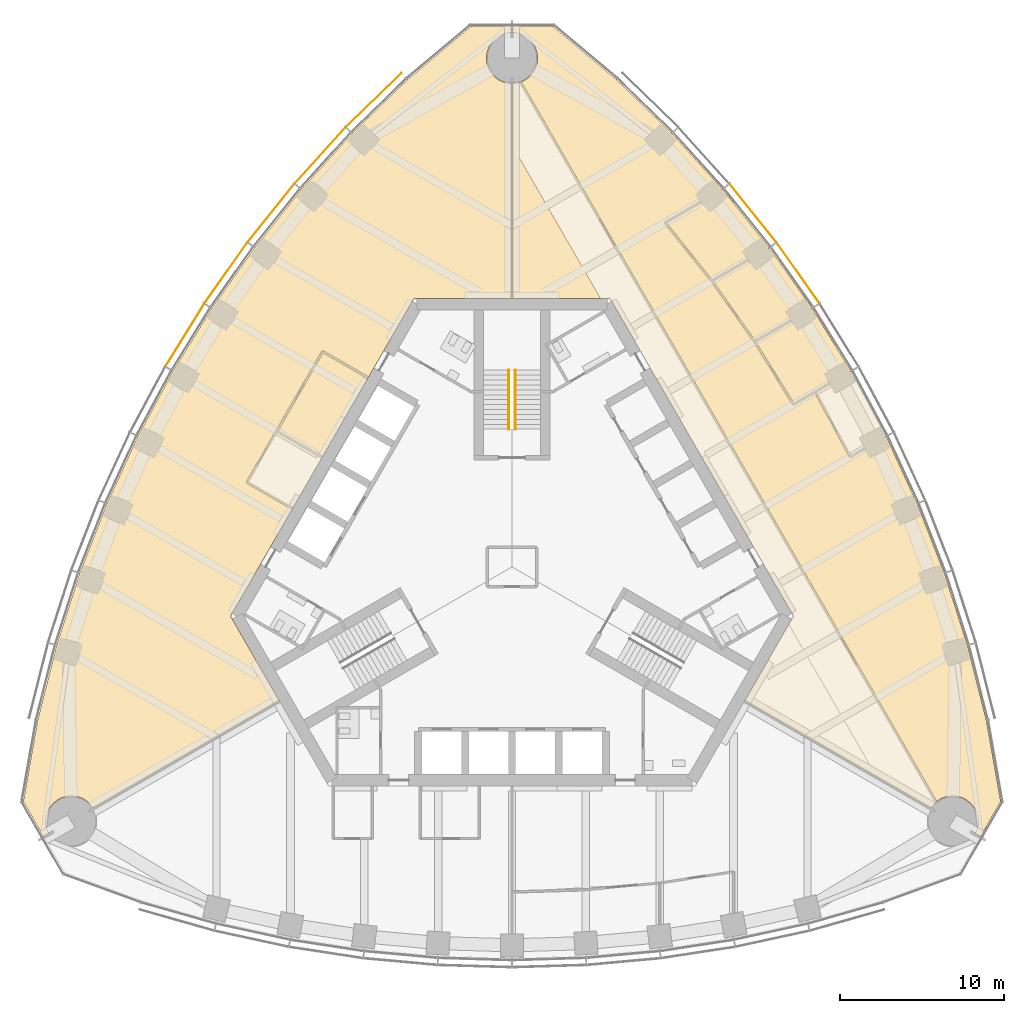
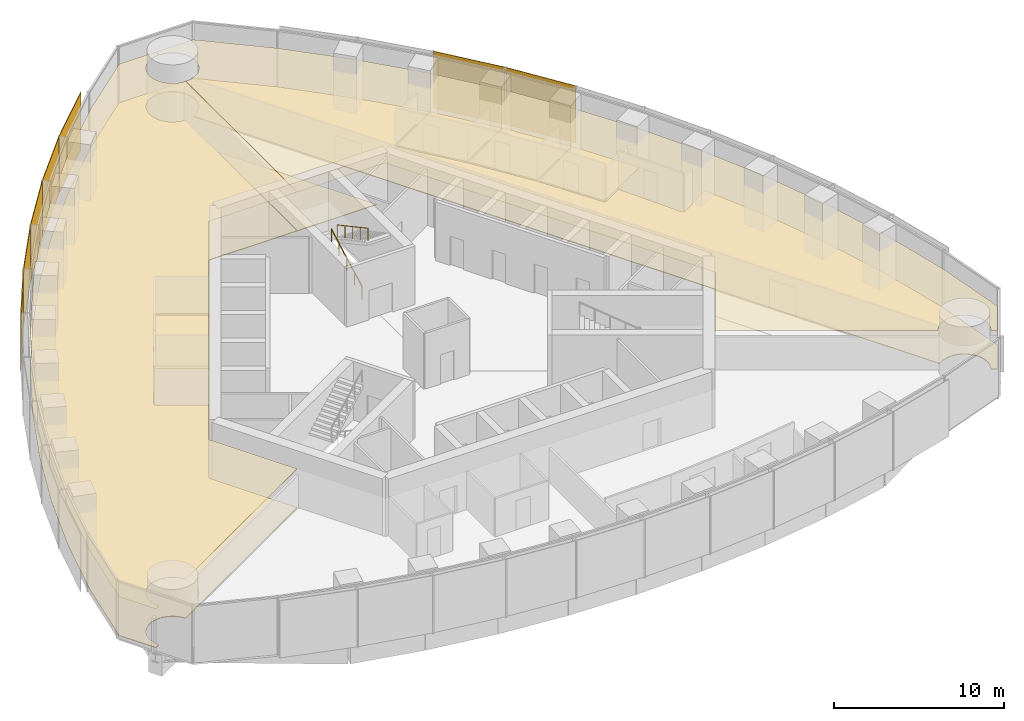
# One storey, part 12 of 15: 9 coverings, 7 shading devices, 2 railings.
"""IFC4 building model written with IfcOpenShell, lengths in metres."""

from ifc_helpers import new_model, si_unit, direction, frame, origin, origin_2d, place, context, subcontext, project, spatial, polyline, rectangle, circle, outline, extrude, material, layer, layer_set, type_object, element, save


model = new_model("IFC4")

# Units and contexts
model_context = context("Model", 3, precision=1e-05, world=origin(), true_north=direction((0.0, 1.0)))
body_context = subcontext(model_context, "Body", "Model", "MODEL_VIEW")
ifc_project = project(units=[si_unit("LENGTHUNIT", "METRE"), si_unit("AREAUNIT", "SQUARE_METRE"), si_unit("VOLUMEUNIT", "CUBIC_METRE"), si_unit("PLANEANGLEUNIT", "RADIAN"), si_unit("MASSUNIT", "GRAM", prefix="KILO")], contexts=[model_context])

# Site, building, storey
site_placement = place(None, origin())
site = spatial("IfcSite", under=ifc_project, at=site_placement, CompositionType="ELEMENT")
building_placement = place(site_placement, origin())
building = spatial("IfcBuilding", under=site, at=building_placement, Name="Trefoil Bronze Tower", CompositionType="ELEMENT")
storey_placement = place(building_placement, frame((0.0, 0.0, 276.300048828125)))
storey = spatial("IfcBuildingStorey", under=building, at=storey_placement, Name="L63", CompositionType="ELEMENT", Elevation=276.300048828125)

# Shading devices
ifc_material_1 = material(Name="Perforated bronze sheet", Category="bronze")
ifc_layer_1 = layer(ifc_material_1, 0.0400390625)
ifc_layer_set_1 = layer_set([ifc_layer_1], Name="Bronze solar screen panel")
shading_device_type = type_object("IfcShadingDeviceType", Name="Bronze solar screen panel", PredefinedType="SHUTTER", material=ifc_layer_set_1)
shading_device_1_placement = place(storey_placement, frame((17.4267578125, 17.912109375, 0.0498046875), z_axis=(0.0, 0.0, 1.0), x_axis=(-0.576560967783, 0.817054129437, 0.0)))
element("IfcShadingDevice", 1, at=shading_device_1_placement, inside=storey, type_object=shading_device_type, Name="Solar screen CW-A L63 F2 bay 7", PredefinedType="SHUTTER", context=body_context, shape_type="SweptSolid", body=[
    extrude(rectangle(XDim=4.48876953125, YDim=0.0400390625, at=origin_2d()), origin(), (0.0, 0.0, 1.0), 4.10009765625),
])
shading_device_2_placement = place(storey_placement, frame((14.680908203125, 21.560791015625, 0.0498046875), z_axis=(0.0, 0.0, 1.0), x_axis=(-0.625286758829, 0.780395072533, 0.0)))
element("IfcShadingDevice", 2, at=shading_device_2_placement, inside=storey, type_object=shading_device_type, Name="Solar screen CW-A L63 F2 bay 8", PredefinedType="SHUTTER", context=body_context, shape_type="SweptSolid", body=[
    extrude(rectangle(XDim=4.5224609375, YDim=0.0400390625, at=origin_2d()), origin(), (0.0, 0.0, 1.0), 4.10009765625),
])
shading_device_3_placement = place(storey_placement, frame((-8.42236328125, 28.443359375, 0.0498046875), z_axis=(0.0, 0.0, 1.0), x_axis=(-0.71721818561, -0.696848673839, 0.0)))
element("IfcShadingDevice", 3, at=shading_device_3_placement, inside=storey, type_object=shading_device_type, Name="Solar screen CW-A L63 F3 bay 1", PredefinedType="SHUTTER", context=body_context, shape_type="SweptSolid", body=[
    extrude(rectangle(XDim=4.697509765625, YDim=0.0400390625, at=origin_2d()), origin(), (0.0, 0.0, 1.0), 4.10009765625),
])
shading_device_4_placement = place(storey_placement, frame((-11.688720703125, 25.067138671875, 0.0498046875), z_axis=(0.0, 0.0, 1.0), x_axis=(-0.672115274615, -0.74044652584, 0.0)))
element("IfcShadingDevice", 4, at=shading_device_4_placement, inside=storey, type_object=shading_device_type, Name="Solar screen CW-A L63 F3 bay 2", PredefinedType="SHUTTER", context=body_context, shape_type="SweptSolid", body=[
    extrude(rectangle(XDim=4.574462890625, YDim=0.0400390625, at=origin_2d()), origin(), (0.0, 0.0, 1.0), 4.10009765625),
])
shading_device_5_placement = place(storey_placement, frame((-14.680908203125, 21.560791015625, 0.0498046875), z_axis=(0.0, 0.0, 1.0), x_axis=(-0.625286758829, -0.780395072533, 0.0)))
element("IfcShadingDevice", 5, at=shading_device_5_placement, inside=storey, type_object=shading_device_type, Name="Solar screen CW-A L63 F3 bay 3", PredefinedType="SHUTTER", context=body_context, shape_type="SweptSolid", body=[
    extrude(rectangle(XDim=4.5224609375, YDim=0.0400390625, at=origin_2d()), origin(), (0.0, 0.0, 1.0), 4.10009765625),
])
shading_device_6_placement = place(storey_placement, frame((-17.4267578125, 17.912109375, 0.0498046875), z_axis=(0.0, 0.0, 1.0), x_axis=(-0.576560967783, -0.817054129437, 0.0)))
element("IfcShadingDevice", 6, at=shading_device_6_placement, inside=storey, type_object=shading_device_type, Name="Solar screen CW-A L63 F3 bay 4", PredefinedType="SHUTTER", context=body_context, shape_type="SweptSolid", body=[
    extrude(rectangle(XDim=4.48876953125, YDim=0.0400390625, at=origin_2d()), origin(), (0.0, 0.0, 1.0), 4.10009765625),
])
shading_device_7_placement = place(storey_placement, frame((-19.931396484375, 14.124267578125, 0.0498046875), z_axis=(0.0, 0.0, 1.0), x_axis=(-0.525979532701, -0.850497225851, 0.0)))
element("IfcShadingDevice", 7, at=shading_device_7_placement, inside=storey, type_object=shading_device_type, Name="Solar screen CW-A L63 F3 bay 5", PredefinedType="SHUTTER", context=body_context, shape_type="SweptSolid", body=[
    extrude(rectangle(XDim=4.47216796875, YDim=0.0400390625, at=origin_2d()), origin(), (0.0, 0.0, 1.0), 4.10009765625),
])

# Railings
ifc_material_2 = material(Name="Steel handrail", Category="steel")
railing_type = type_object("IfcRailingType", Name="Handrail 900", PredefinedType="HANDRAIL", material=ifc_material_2)
railing_1_placement = place(storey_placement, frame((-0.199951171875, 8.389892578125, 0.161376953125)))
element("IfcRailing", 8, at=railing_1_placement, inside=storey, type_object=railing_type, Name="Handrail ST2 flight 1 L63", PredefinedType="HANDRAIL", context=body_context, shape_type="SweptSolid", body=[
    extrude(circle(Radius=0.02392578125, at=origin_2d()), frame((0.0, 0.0, 0.8759765625), z_axis=(0.0, 0.880474934443, 0.474092701714), x_axis=(-1.0, 0.0, 0.0)), (0.0, 0.0, 1.0), 4.0888671875),
    extrude(circle(Radius=0.02099609375, at=origin_2d()), origin(), (0.0, 0.0, 1.0), 0.851806640625),
    extrude(circle(Radius=0.02099609375, at=origin_2d()), frame((0.0, 0.89990234375, 0.484619140625)), (0.0, 0.0, 1.0), 0.851806640625),
    extrude(circle(Radius=0.02099609375, at=origin_2d()), frame((0.0, 1.800048828125, 0.96923828125)), (0.0, 0.0, 1.0), 0.851806640625),
    extrude(circle(Radius=0.02099609375, at=origin_2d()), frame((0.0, 2.7001953125, 1.453857421875)), (0.0, 0.0, 1.0), 0.851806640625),
    extrude(circle(Radius=0.02099609375, at=origin_2d()), frame((0.0, 3.60009765625, 1.9384765625)), (0.0, 0.0, 1.0), 0.851806640625),
])
railing_2_placement = place(storey_placement, frame((0.199951171875, 11.989990234375, 2.261474609375)))
element("IfcRailing", 9, at=railing_2_placement, inside=storey, type_object=railing_type, Name="Handrail ST2 flight 2 L63", PredefinedType="HANDRAIL", context=body_context, shape_type="SweptSolid", body=[
    extrude(circle(Radius=0.02392578125, at=origin_2d()), frame((0.0, 0.0, 0.8759765625), z_axis=(0.0, -0.880474934443, 0.474092701714), x_axis=(1.0, 0.0, 0.0)), (0.0, 0.0, 1.0), 4.0888671875),
    extrude(circle(Radius=0.02099609375, at=origin_2d()), origin(), (0.0, 0.0, 1.0), 0.851806640625),
    extrude(circle(Radius=0.02099609375, at=origin_2d()), frame((0.0, -0.89990234375, 0.484619140625)), (0.0, 0.0, 1.0), 0.851806640625),
    extrude(circle(Radius=0.02099609375, at=origin_2d()), frame((0.0, -1.800048828125, 0.96923828125)), (0.0, 0.0, 1.0), 0.851806640625),
    extrude(circle(Radius=0.02099609375, at=origin_2d()), frame((0.0, -2.7001953125, 1.453857421875)), (0.0, 0.0, 1.0), 0.851806640625),
    extrude(circle(Radius=0.02099609375, at=origin_2d()), frame((0.0, -3.60009765625, 1.9384765625)), (0.0, 0.0, 1.0), 0.851806640625),
])

# Coverings
ifc_material_3 = material(Name="Acoustic ceiling panels", Category="mineral fibre")
ifc_layer_2 = layer(ifc_material_3, 0.02001953125)
ifc_layer_set_2 = layer_set([ifc_layer_2], Name="Office ceiling 20")
covering_type_1 = type_object("IfcCoveringType", Name="Office ceiling 20", PredefinedType="CEILING", material=ifc_layer_set_2)
covering_1_placement = place(storey_placement, frame((0.0, 0.0, 2.89990234375)))
element("IfcCovering", 10, at=covering_1_placement, inside=storey, type_object=covering_type_1, Name="Ceiling L63 Open-plan office F2", PredefinedType="CEILING", context=body_context, shape_type="SweptSolid", body=[
    extrude(outline(polyline([(9.741455078125, 26.408935546875), (12.836181640625, 22.99951171875), (15.682861328125, 19.44677734375), (18.2880859375, 15.7548828125), (20.656005859375, 11.92578125), (22.7880859375, 7.960693359375), (24.682861328125, 3.8583984375), (26.336181640625, -0.38330078125), (27.741455078125, -4.76806640625), (28.899169921875, -9.3515625), (29.770263671875, -14.291748046875), (28.522216796875, -16.453125), (28.19482421875, -16.26416015625), (28.2138671875, -16.230712890625), (28.248046875, -16.16259765625), (28.27880859375, -16.09326171875), (28.30615234375, -16.022216796875), (28.330078125, -15.949951171875), (28.350341796875, -15.876708984375), (28.366943359375, -15.802490234375), (28.3798828125, -15.727294921875), (28.389404296875, -15.65185546875), (28.39501953125, -15.576171875), (28.396728515625, -15.5), (28.39501953125, -15.423828125), (28.389404296875, -15.34814453125), (28.3798828125, -15.272705078125), (28.366943359375, -15.197509765625), (28.350341796875, -15.123291015625), (28.330078125, -15.050048828125), (28.30615234375, -14.977783203125), (28.27880859375, -14.90673828125), (28.248046875, -14.83740234375), (28.2138671875, -14.769287109375), (28.17626953125, -14.703125), (28.135498046875, -14.638916015625), (28.091796875, -14.57666015625), (28.044921875, -14.5166015625), (27.995361328125, -14.458984375), (27.94287109375, -14.404052734375), (27.8876953125, -14.3515625), (27.830078125, -14.3017578125), (27.77001953125, -14.2548828125), (27.7080078125, -14.211181640625), (27.6435546875, -14.17041015625), (27.577392578125, -14.133056640625), (27.509521484375, -14.098876953125), (27.43994140625, -14.068115234375), (27.368896484375, -14.04052734375), (27.296630859375, -14.0166015625), (27.223388671875, -13.99658203125), (27.149169921875, -13.979736328125), (27.07421875, -13.966796875), (26.998779296875, -13.95751953125), (26.9228515625, -13.951904296875), (26.8466796875, -13.949951171875), (26.770751953125, -13.951904296875), (26.69482421875, -13.95751953125), (26.619384765625, -13.966796875), (26.54443359375, -13.979736328125), (26.47021484375, -13.99658203125), (26.396728515625, -14.0166015625), (26.32470703125, -14.04052734375), (26.253662109375, -14.068115234375), (26.18408203125, -14.098876953125), (26.1162109375, -14.133056640625), (26.0498046875, -14.17041015625), (25.985595703125, -14.211181640625), (25.923583984375, -14.2548828125), (25.863525390625, -14.3017578125), (25.805908203125, -14.3515625), (25.750732421875, -14.404052734375), (25.6982421875, -14.458984375), (25.648681640625, -14.5166015625), (25.601806640625, -14.57666015625), (25.55810546875, -14.638916015625), (25.51025390625, -14.715576171875), (14.16259765625, -8.169677734375), (17.147216796875, -3.0), (5.9755859375, 16.35009765625), (0.006103515625, 16.35009765625), (0.010986328125, 29.4501953125), (0.076171875, 29.451904296875), (0.15185546875, 29.45751953125), (0.227294921875, 29.466796875), (0.302490234375, 29.479736328125), (0.376708984375, 29.49658203125), (0.449951171875, 29.5166015625), (0.522216796875, 29.54052734375), (0.59326171875, 29.568115234375), (0.66259765625, 29.598876953125), (0.730712890625, 29.633056640625), (0.796875, 29.67041015625), (0.861083984375, 29.711181640625), (0.92333984375, 29.7548828125), (0.9833984375, 29.8017578125), (1.041015625, 29.8515625), (1.095947265625, 29.904052734375), (1.1484375, 29.958984375), (1.1982421875, 30.0166015625), (1.2451171875, 30.07666015625), (1.288818359375, 30.138916015625), (1.32958984375, 30.203125), (1.366943359375, 30.269287109375), (1.401123046875, 30.33740234375), (1.431884765625, 30.40673828125), (1.45947265625, 30.477783203125), (1.4833984375, 30.550048828125), (1.50341796875, 30.623291015625), (1.520263671875, 30.697509765625), (1.533203125, 30.772705078125), (1.54248046875, 30.84814453125), (1.548095703125, 30.923828125), (1.550048828125, 31.0), (1.548095703125, 31.076171875), (1.54248046875, 31.15185546875), (1.533203125, 31.227294921875), (1.520263671875, 31.302490234375), (1.50341796875, 31.376708984375), (1.4833984375, 31.449951171875), (1.45947265625, 31.522216796875), (1.431884765625, 31.59326171875), (1.401123046875, 31.66259765625), (1.366943359375, 31.730712890625), (1.32958984375, 31.796875), (1.288818359375, 31.861083984375), (1.2451171875, 31.92333984375), (1.1982421875, 31.9833984375), (1.1484375, 32.041015625), (1.095947265625, 32.095947265625), (1.041015625, 32.1484375), (0.9833984375, 32.1982421875), (0.92333984375, 32.2451171875), (0.861083984375, 32.288818359375), (0.796875, 32.32958984375), (0.730712890625, 32.366943359375), (0.66259765625, 32.401123046875), (0.59326171875, 32.431884765625), (0.522216796875, 32.45947265625), (0.449951171875, 32.4833984375), (0.376708984375, 32.50341796875), (0.302490234375, 32.520263671875), (0.227294921875, 32.533203125), (0.15185546875, 32.54248046875), (0.076171875, 32.548095703125), (0.01220703125, 32.5498046875), (0.01220703125, 32.927490234375), (2.508056640625, 32.927490234375), (6.350830078125, 29.703125), (9.741455078125, 26.408935546875)])), origin(), (0.0, 0.0, 1.0), 0.02001953125),
])
covering_2_placement = place(storey_placement, frame((0.0, 0.0, 2.89990234375)))
element("IfcCovering", 11, at=covering_2_placement, inside=storey, type_object=covering_type_1, Name="Ceiling L63 Open-plan office F3", PredefinedType="CEILING", context=body_context, shape_type="SweptSolid", body=[
    extrude(outline(polyline([(-27.741455078125, -4.76806640625), (-26.336181640625, -0.38330078125), (-24.682861328125, 3.8583984375), (-22.7880859375, 7.960693359375), (-20.656005859375, 11.92578125), (-18.2880859375, 15.7548828125), (-15.682861328125, 19.44677734375), (-12.836181640625, 22.99951171875), (-9.741455078125, 26.408935546875), (-6.350830078125, 29.703125), (-2.508056640625, 32.927490234375), (-0.01220703125, 32.927490234375), (-0.01220703125, 32.5498046875), (-0.076171875, 32.548095703125), (-0.15185546875, 32.54248046875), (-0.227294921875, 32.533203125), (-0.302490234375, 32.520263671875), (-0.376708984375, 32.50341796875), (-0.449951171875, 32.4833984375), (-0.522216796875, 32.45947265625), (-0.59326171875, 32.431884765625), (-0.66259765625, 32.401123046875), (-0.730712890625, 32.366943359375), (-0.796875, 32.32958984375), (-0.861083984375, 32.288818359375), (-0.92333984375, 32.2451171875), (-0.9833984375, 32.1982421875), (-1.041015625, 32.1484375), (-1.095947265625, 32.095947265625), (-1.1484375, 32.041015625), (-1.1982421875, 31.9833984375), (-1.2451171875, 31.92333984375), (-1.288818359375, 31.861083984375), (-1.32958984375, 31.796875), (-1.366943359375, 31.730712890625), (-1.401123046875, 31.66259765625), (-1.431884765625, 31.59326171875), (-1.45947265625, 31.522216796875), (-1.4833984375, 31.449951171875), (-1.50341796875, 31.376708984375), (-1.520263671875, 31.302490234375), (-1.533203125, 31.227294921875), (-1.54248046875, 31.15185546875), (-1.548095703125, 31.076171875), (-1.550048828125, 31.0), (-1.548095703125, 30.923828125), (-1.54248046875, 30.84814453125), (-1.533203125, 30.772705078125), (-1.520263671875, 30.697509765625), (-1.50341796875, 30.623291015625), (-1.4833984375, 30.550048828125), (-1.45947265625, 30.477783203125), (-1.431884765625, 30.40673828125), (-1.401123046875, 30.33740234375), (-1.366943359375, 30.269287109375), (-1.32958984375, 30.203125), (-1.288818359375, 30.138916015625), (-1.2451171875, 30.07666015625), (-1.1982421875, 30.0166015625), (-1.1484375, 29.958984375), (-1.095947265625, 29.904052734375), (-1.041015625, 29.8515625), (-0.9833984375, 29.8017578125), (-0.92333984375, 29.7548828125), (-0.861083984375, 29.711181640625), (-0.796875, 29.67041015625), (-0.730712890625, 29.633056640625), (-0.66259765625, 29.598876953125), (-0.59326171875, 29.568115234375), (-0.522216796875, 29.54052734375), (-0.449951171875, 29.5166015625), (-0.376708984375, 29.49658203125), (-0.302490234375, 29.479736328125), (-0.227294921875, 29.466796875), (-0.15185546875, 29.45751953125), (-0.076171875, 29.451904296875), (-0.010986328125, 29.4501953125), (-0.006103515625, 16.35009765625), (-5.9755859375, 16.35009765625), (-17.147216796875, -3.0), (-14.16259765625, -8.169677734375), (-25.51025390625, -14.715576171875), (-25.55810546875, -14.638916015625), (-25.601806640625, -14.57666015625), (-25.648681640625, -14.5166015625), (-25.6982421875, -14.458984375), (-25.750732421875, -14.404052734375), (-25.805908203125, -14.3515625), (-25.863525390625, -14.3017578125), (-25.923583984375, -14.2548828125), (-25.985595703125, -14.211181640625), (-26.0498046875, -14.17041015625), (-26.1162109375, -14.133056640625), (-26.18408203125, -14.098876953125), (-26.253662109375, -14.068115234375), (-26.32470703125, -14.04052734375), (-26.396728515625, -14.0166015625), (-26.47021484375, -13.99658203125), (-26.54443359375, -13.979736328125), (-26.619384765625, -13.966796875), (-26.69482421875, -13.95751953125), (-26.770751953125, -13.951904296875), (-26.8466796875, -13.949951171875), (-26.9228515625, -13.951904296875), (-26.998779296875, -13.95751953125), (-27.07421875, -13.966796875), (-27.149169921875, -13.979736328125), (-27.223388671875, -13.99658203125), (-27.296630859375, -14.0166015625), (-27.368896484375, -14.04052734375), (-27.43994140625, -14.068115234375), (-27.509521484375, -14.098876953125), (-27.577392578125, -14.133056640625), (-27.6435546875, -14.17041015625), (-27.7080078125, -14.211181640625), (-27.77001953125, -14.2548828125), (-27.830078125, -14.3017578125), (-27.8876953125, -14.3515625), (-27.94287109375, -14.404052734375), (-27.995361328125, -14.458984375), (-28.044921875, -14.5166015625), (-28.091796875, -14.57666015625), (-28.135498046875, -14.638916015625), (-28.17626953125, -14.703125), (-28.2138671875, -14.769287109375), (-28.248046875, -14.83740234375), (-28.27880859375, -14.90673828125), (-28.30615234375, -14.977783203125), (-28.330078125, -15.050048828125), (-28.350341796875, -15.123291015625), (-28.366943359375, -15.197509765625), (-28.3798828125, -15.272705078125), (-28.389404296875, -15.34814453125), (-28.39501953125, -15.423828125), (-28.396728515625, -15.5), (-28.39501953125, -15.576171875), (-28.389404296875, -15.65185546875), (-28.3798828125, -15.727294921875), (-28.366943359375, -15.802490234375), (-28.350341796875, -15.876708984375), (-28.330078125, -15.949951171875), (-28.30615234375, -16.022216796875), (-28.27880859375, -16.09326171875), (-28.248046875, -16.16259765625), (-28.2138671875, -16.230712890625), (-28.19482421875, -16.26416015625), (-28.522216796875, -16.453125), (-29.770263671875, -14.291748046875), (-28.899169921875, -9.3515625), (-27.741455078125, -4.76806640625)])), origin(), (0.0, 0.0, 1.0), 0.02001953125),
])
ifc_material_4 = material(Name="Raised access floor panels", Category="steel")
ifc_layer_3 = layer(ifc_material_4, 0.050048828125)
ifc_layer_set_3 = layer_set([ifc_layer_3], Name="Raised access floor 150")
covering_type_2 = type_object("IfcCoveringType", Name="Raised access floor 150", PredefinedType="FLOORING", material=ifc_layer_set_3)
covering_3_placement = place(storey_placement, frame((0.0, 0.0, 0.099853515625)))
element("IfcCovering", 12, at=covering_3_placement, inside=storey, type_object=covering_type_2, Name="Raised floor L63 Meeting room F2", PredefinedType="FLOORING", context=body_context, shape_type="SweptSolid", body=[
    extrude(outline(polyline([(15.682861328125, 19.44677734375), (14.347900390625, 18.676025390625), (14.318115234375, 18.72802734375), (12.18994140625, 17.49951171875), (9.41943359375, 20.95751953125), (11.51904296875, 22.169677734375), (11.489013671875, 22.2216796875), (12.836181640625, 22.99951171875), (15.682861328125, 19.44677734375)])), origin(), (0.0, 0.0, 1.0), 0.050048828125),
])
covering_4_placement = place(storey_placement, frame((0.0, 0.0, 0.099853515625)))
element("IfcCovering", 13, at=covering_4_placement, inside=storey, type_object=covering_type_2, Name="Raised floor L63 Meeting room F2", PredefinedType="FLOORING", context=body_context, shape_type="SweptSolid", body=[
    extrude(outline(polyline([(18.2880859375, 15.7548828125), (16.960693359375, 14.98828125), (16.9306640625, 15.040283203125), (14.798095703125, 13.80908203125), (12.26220703125, 17.402587890625), (14.3779296875, 18.624267578125), (14.347900390625, 18.676025390625), (15.682861328125, 19.44677734375), (18.2880859375, 15.7548828125)])), origin(), (0.0, 0.0, 1.0), 0.050048828125),
])
covering_5_placement = place(storey_placement, frame((0.0, 0.0, 0.099853515625)))
element("IfcCovering", 14, at=covering_5_placement, inside=storey, type_object=covering_type_2, Name="Raised floor L63 Meeting room F2", PredefinedType="FLOORING", context=body_context, shape_type="SweptSolid", body=[
    extrude(outline(polyline([(18.2880859375, 15.7548828125), (20.656005859375, 11.92578125), (19.3310546875, 11.160888671875), (19.301025390625, 11.212890625), (17.169189453125, 9.98193359375), (14.8642578125, 13.708740234375), (16.99072265625, 14.936279296875), (16.960693359375, 14.98828125), (18.2880859375, 15.7548828125)])), origin(), (0.0, 0.0, 1.0), 0.050048828125),
])
covering_6_placement = place(storey_placement, frame((0.0, 0.0, 0.099853515625)))
element("IfcCovering", 15, at=covering_6_placement, inside=storey, type_object=covering_type_2, Name="Raised floor L63 Open-plan office F2", PredefinedType="FLOORING", context=body_context, shape_type="SweptSolid", body=[
    extrude(outline(polyline([(9.741455078125, 26.408935546875), (12.836181640625, 22.99951171875), (11.489013671875, 22.2216796875), (11.458984375, 22.273681640625), (9.298828125, 21.0263671875), (9.328857421875, 20.974609375), (9.281982421875, 20.93701171875), (12.12744140625, 17.3857421875), (14.730712890625, 13.69677734375), (17.09765625, 9.869140625), (17.148681640625, 9.90087890625), (17.1787109375, 9.848876953125), (18.4580078125, 10.58740234375), (20.560791015625, 6.676513671875), (20.613525390625, 6.705078125), (20.6435546875, 6.653076171875), (21.49072265625, 7.14208984375), (21.460693359375, 7.194091796875), (22.7880859375, 7.960693359375), (24.682861328125, 3.8583984375), (26.336181640625, -0.38330078125), (27.741455078125, -4.76806640625), (28.899169921875, -9.3515625), (29.770263671875, -14.291748046875), (28.522216796875, -16.453125), (28.19482421875, -16.26416015625), (28.2138671875, -16.230712890625), (28.248046875, -16.16259765625), (28.27880859375, -16.09326171875), (28.30615234375, -16.022216796875), (28.330078125, -15.949951171875), (28.350341796875, -15.876708984375), (28.366943359375, -15.802490234375), (28.3798828125, -15.727294921875), (28.389404296875, -15.65185546875), (28.39501953125, -15.576171875), (28.396728515625, -15.5), (28.39501953125, -15.423828125), (28.389404296875, -15.34814453125), (28.3798828125, -15.272705078125), (28.366943359375, -15.197509765625), (28.350341796875, -15.123291015625), (28.330078125, -15.050048828125), (28.30615234375, -14.977783203125), (28.27880859375, -14.90673828125), (28.248046875, -14.83740234375), (28.2138671875, -14.769287109375), (28.17626953125, -14.703125), (28.135498046875, -14.638916015625), (28.091796875, -14.57666015625), (28.044921875, -14.5166015625), (27.995361328125, -14.458984375), (27.94287109375, -14.404052734375), (27.8876953125, -14.3515625), (27.830078125, -14.3017578125), (27.77001953125, -14.2548828125), (27.7080078125, -14.211181640625), (27.6435546875, -14.17041015625), (27.577392578125, -14.133056640625), (27.509521484375, -14.098876953125), (27.43994140625, -14.068115234375), (27.368896484375, -14.04052734375), (27.296630859375, -14.0166015625), (27.223388671875, -13.99658203125), (27.149169921875, -13.979736328125), (27.07421875, -13.966796875), (26.998779296875, -13.95751953125), (26.9228515625, -13.951904296875), (26.8466796875, -13.949951171875), (26.770751953125, -13.951904296875), (26.69482421875, -13.95751953125), (26.619384765625, -13.966796875), (26.54443359375, -13.979736328125), (26.47021484375, -13.99658203125), (26.396728515625, -14.0166015625), (26.32470703125, -14.04052734375), (26.253662109375, -14.068115234375), (26.18408203125, -14.098876953125), (26.1162109375, -14.133056640625), (26.0498046875, -14.17041015625), (25.985595703125, -14.211181640625), (25.923583984375, -14.2548828125), (25.88134765625, -14.287841796875), (0.56689453125, 29.557861328125), (0.59326171875, 29.568115234375), (0.66259765625, 29.598876953125), (0.730712890625, 29.633056640625), (0.796875, 29.67041015625), (0.861083984375, 29.711181640625), (0.92333984375, 29.7548828125), (0.9833984375, 29.8017578125), (1.041015625, 29.8515625), (1.095947265625, 29.904052734375), (1.1484375, 29.958984375), (1.1982421875, 30.0166015625), (1.2451171875, 30.07666015625), (1.288818359375, 30.138916015625), (1.32958984375, 30.203125), (1.366943359375, 30.269287109375), (1.401123046875, 30.33740234375), (1.431884765625, 30.40673828125), (1.45947265625, 30.477783203125), (1.4833984375, 30.550048828125), (1.50341796875, 30.623291015625), (1.520263671875, 30.697509765625), (1.533203125, 30.772705078125), (1.54248046875, 30.84814453125), (1.548095703125, 30.923828125), (1.550048828125, 31.0), (1.548095703125, 31.076171875), (1.54248046875, 31.15185546875), (1.533203125, 31.227294921875), (1.520263671875, 31.302490234375), (1.50341796875, 31.376708984375), (1.4833984375, 31.449951171875), (1.45947265625, 31.522216796875), (1.431884765625, 31.59326171875), (1.401123046875, 31.66259765625), (1.366943359375, 31.730712890625), (1.32958984375, 31.796875), (1.288818359375, 31.861083984375), (1.2451171875, 31.92333984375), (1.1982421875, 31.9833984375), (1.1484375, 32.041015625), (1.095947265625, 32.095947265625), (1.041015625, 32.1484375), (0.9833984375, 32.1982421875), (0.92333984375, 32.2451171875), (0.861083984375, 32.288818359375), (0.796875, 32.32958984375), (0.730712890625, 32.366943359375), (0.66259765625, 32.401123046875), (0.59326171875, 32.431884765625), (0.522216796875, 32.45947265625), (0.449951171875, 32.4833984375), (0.376708984375, 32.50341796875), (0.302490234375, 32.520263671875), (0.227294921875, 32.533203125), (0.15185546875, 32.54248046875), (0.076171875, 32.548095703125), (0.01220703125, 32.5498046875), (0.01220703125, 32.927490234375), (2.508056640625, 32.927490234375), (6.350830078125, 29.703125), (9.741455078125, 26.408935546875)])), origin(), (0.0, 0.0, 1.0), 0.050048828125),
])
covering_7_placement = place(storey_placement, frame((0.0, 0.0, 0.099853515625)))
element("IfcCovering", 16, at=covering_7_placement, inside=storey, type_object=covering_type_2, Name="Raised floor L63 Open-plan office F2", PredefinedType="FLOORING", context=body_context, shape_type="SweptSolid", body=[
    extrude(outline(polyline([(5.398193359375, 16.35009765625), (0.006103515625, 16.35009765625), (0.009521484375, 25.683349609375), (5.398193359375, 16.35009765625)])), origin(), (0.0, 0.0, 1.0), 0.050048828125),
])
covering_8_placement = place(storey_placement, frame((0.0, 0.0, 0.099853515625)))
element("IfcCovering", 17, at=covering_8_placement, inside=storey, type_object=covering_type_2, Name="Raised floor L63 Meeting room F3", PredefinedType="FLOORING", context=body_context, shape_type="SweptSolid", body=[
    extrude(outline(polyline([(-11.531494140625, 6.72705078125), (-14.250732421875, 8.297119140625), (-11.5107421875, 13.042724609375), (-8.79150390625, 11.472900390625), (-11.531494140625, 6.72705078125)])), origin(), (0.0, 0.0, 1.0), 0.050048828125),
])
covering_9_placement = place(storey_placement, frame((0.0, 0.0, 0.099853515625)))
element("IfcCovering", 18, at=covering_9_placement, inside=storey, type_object=covering_type_2, Name="Raised floor L63 Open-plan office F3", PredefinedType="FLOORING", context=body_context, shape_type="SweptSolid", body=[
    extrude(outline(polyline([(-5.9755859375, 16.35009765625), (-8.7314453125, 11.57666015625), (-11.502685546875, 13.1767578125), (-11.53271484375, 13.124755859375), (-11.584716796875, 13.15478515625), (-16.184814453125, 5.187255859375), (-16.1328125, 5.1572265625), (-16.16259765625, 5.105224609375), (-13.391357421875, 3.50537109375), (-17.147216796875, -3.0), (-14.16259765625, -8.169677734375), (-25.51025390625, -14.715576171875), (-25.55810546875, -14.638916015625), (-25.601806640625, -14.57666015625), (-25.648681640625, -14.5166015625), (-25.6982421875, -14.458984375), (-25.750732421875, -14.404052734375), (-25.805908203125, -14.3515625), (-25.863525390625, -14.3017578125), (-25.923583984375, -14.2548828125), (-25.985595703125, -14.211181640625), (-26.0498046875, -14.17041015625), (-26.1162109375, -14.133056640625), (-26.18408203125, -14.098876953125), (-26.253662109375, -14.068115234375), (-26.32470703125, -14.04052734375), (-26.396728515625, -14.0166015625), (-26.47021484375, -13.99658203125), (-26.54443359375, -13.979736328125), (-26.619384765625, -13.966796875), (-26.69482421875, -13.95751953125), (-26.770751953125, -13.951904296875), (-26.8466796875, -13.949951171875), (-26.9228515625, -13.951904296875), (-26.998779296875, -13.95751953125), (-27.07421875, -13.966796875), (-27.149169921875, -13.979736328125), (-27.223388671875, -13.99658203125), (-27.296630859375, -14.0166015625), (-27.368896484375, -14.04052734375), (-27.43994140625, -14.068115234375), (-27.509521484375, -14.098876953125), (-27.577392578125, -14.133056640625), (-27.6435546875, -14.17041015625), (-27.7080078125, -14.211181640625), (-27.77001953125, -14.2548828125), (-27.830078125, -14.3017578125), (-27.8876953125, -14.3515625), (-27.94287109375, -14.404052734375), (-27.995361328125, -14.458984375), (-28.044921875, -14.5166015625), (-28.091796875, -14.57666015625), (-28.135498046875, -14.638916015625), (-28.17626953125, -14.703125), (-28.2138671875, -14.769287109375), (-28.248046875, -14.83740234375), (-28.27880859375, -14.90673828125), (-28.30615234375, -14.977783203125), (-28.330078125, -15.050048828125), (-28.350341796875, -15.123291015625), (-28.366943359375, -15.197509765625), (-28.3798828125, -15.272705078125), (-28.389404296875, -15.34814453125), (-28.39501953125, -15.423828125), (-28.396728515625, -15.5), (-28.39501953125, -15.576171875), (-28.389404296875, -15.65185546875), (-28.3798828125, -15.727294921875), (-28.366943359375, -15.802490234375), (-28.350341796875, -15.876708984375), (-28.330078125, -15.949951171875), (-28.30615234375, -16.022216796875), (-28.27880859375, -16.09326171875), (-28.248046875, -16.16259765625), (-28.2138671875, -16.230712890625), (-28.19482421875, -16.26416015625), (-28.522216796875, -16.453125), (-29.770263671875, -14.291748046875), (-28.899169921875, -9.3515625), (-27.741455078125, -4.76806640625), (-26.336181640625, -0.38330078125), (-24.682861328125, 3.8583984375), (-22.7880859375, 7.960693359375), (-20.656005859375, 11.92578125), (-18.2880859375, 15.7548828125), (-15.682861328125, 19.44677734375), (-12.836181640625, 22.99951171875), (-9.741455078125, 26.408935546875), (-6.350830078125, 29.703125), (-2.508056640625, 32.927490234375), (-0.01220703125, 32.927490234375), (-0.01220703125, 32.5498046875), (-0.076171875, 32.548095703125), (-0.15185546875, 32.54248046875), (-0.227294921875, 32.533203125), (-0.302490234375, 32.520263671875), (-0.376708984375, 32.50341796875), (-0.449951171875, 32.4833984375), (-0.522216796875, 32.45947265625), (-0.59326171875, 32.431884765625), (-0.66259765625, 32.401123046875), (-0.730712890625, 32.366943359375), (-0.796875, 32.32958984375), (-0.861083984375, 32.288818359375), (-0.92333984375, 32.2451171875), (-0.9833984375, 32.1982421875), (-1.041015625, 32.1484375), (-1.095947265625, 32.095947265625), (-1.1484375, 32.041015625), (-1.1982421875, 31.9833984375), (-1.2451171875, 31.92333984375), (-1.288818359375, 31.861083984375), (-1.32958984375, 31.796875), (-1.366943359375, 31.730712890625), (-1.401123046875, 31.66259765625), (-1.431884765625, 31.59326171875), (-1.45947265625, 31.522216796875), (-1.4833984375, 31.449951171875), (-1.50341796875, 31.376708984375), (-1.520263671875, 31.302490234375), (-1.533203125, 31.227294921875), (-1.54248046875, 31.15185546875), (-1.548095703125, 31.076171875), (-1.550048828125, 31.0), (-1.548095703125, 30.923828125), (-1.54248046875, 30.84814453125), (-1.533203125, 30.772705078125), (-1.520263671875, 30.697509765625), (-1.50341796875, 30.623291015625), (-1.4833984375, 30.550048828125), (-1.45947265625, 30.477783203125), (-1.431884765625, 30.40673828125), (-1.401123046875, 30.33740234375), (-1.366943359375, 30.269287109375), (-1.32958984375, 30.203125), (-1.288818359375, 30.138916015625), (-1.2451171875, 30.07666015625), (-1.1982421875, 30.0166015625), (-1.1484375, 29.958984375), (-1.095947265625, 29.904052734375), (-1.041015625, 29.8515625), (-0.9833984375, 29.8017578125), (-0.92333984375, 29.7548828125), (-0.861083984375, 29.711181640625), (-0.796875, 29.67041015625), (-0.730712890625, 29.633056640625), (-0.66259765625, 29.598876953125), (-0.59326171875, 29.568115234375), (-0.522216796875, 29.54052734375), (-0.449951171875, 29.5166015625), (-0.376708984375, 29.49658203125), (-0.302490234375, 29.479736328125), (-0.227294921875, 29.466796875), (-0.15185546875, 29.45751953125), (-0.076171875, 29.451904296875), (-0.010986328125, 29.4501953125), (-0.006103515625, 16.35009765625), (-5.9755859375, 16.35009765625)])), origin(), (0.0, 0.0, 1.0), 0.050048828125),
])

save(model, "model.ifc")
